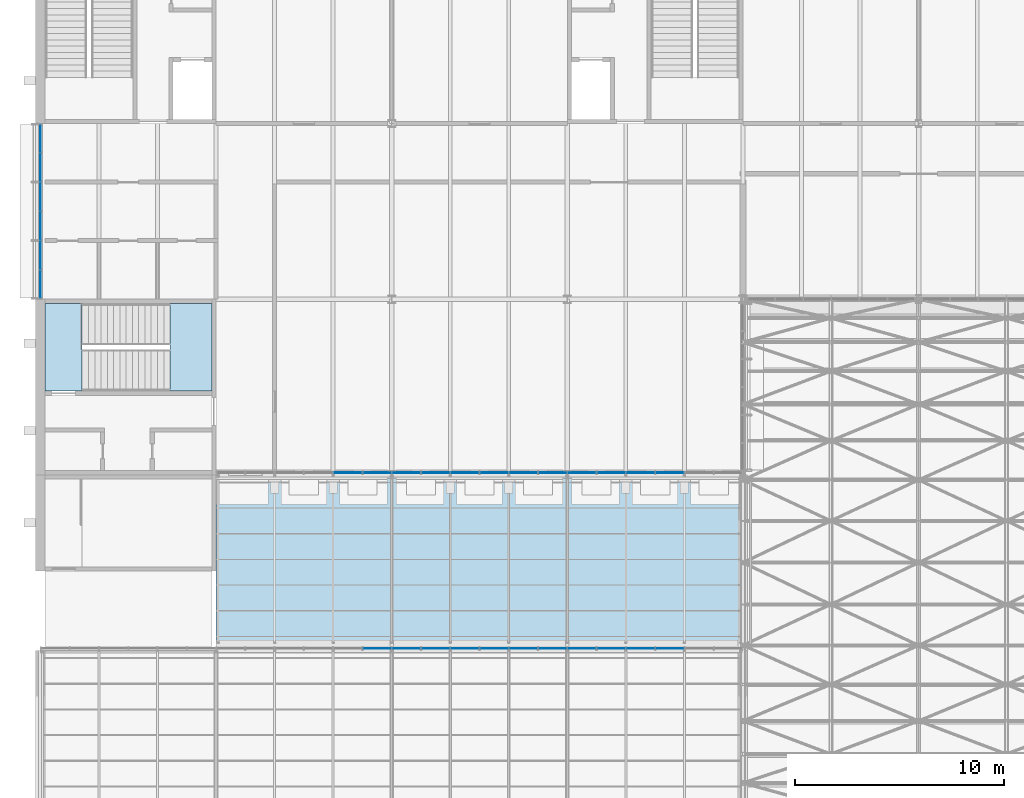
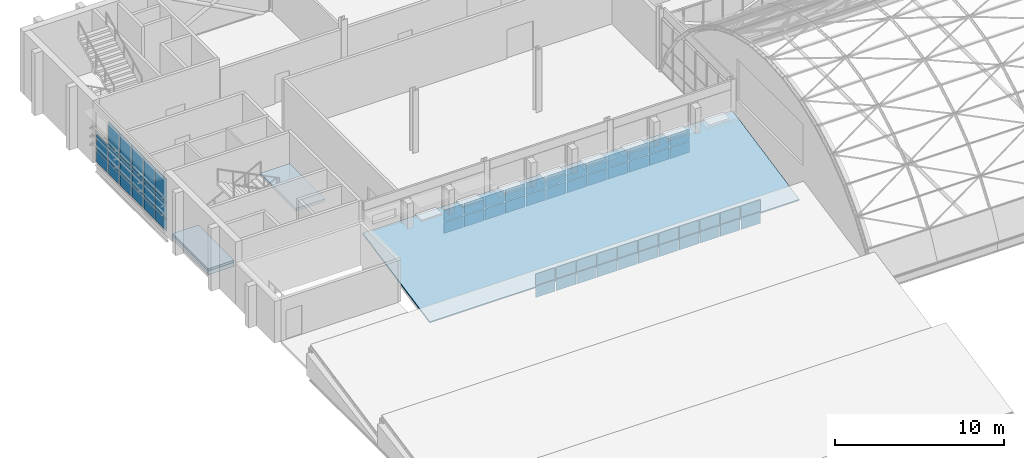
# One storey, part 71 of 121: 63 plates, 4 slabs, 4 elements without a shape of their own.
"""IFC4 building model written with IfcOpenShell, lengths in metres."""

from ifc_helpers import new_model, si_unit, direction, frame, origin, origin_2d, place, context, subcontext, project, spatial, polyline, rectangle, outline, extrude, material, layer, layer_set, type_object, element, aggregate, save


model = new_model("IFC4")

# Units and contexts
model_context = context("Model", 3, precision=1e-05, world=origin(), true_north=direction((0.0, 1.0)))
body_context = subcontext(model_context, "Body", "Model", "MODEL_VIEW")
ifc_project = project(units=[si_unit("LENGTHUNIT", "METRE"), si_unit("AREAUNIT", "SQUARE_METRE"), si_unit("VOLUMEUNIT", "CUBIC_METRE"), si_unit("PLANEANGLEUNIT", "RADIAN"), si_unit("MASSUNIT", "GRAM", prefix="KILO")], contexts=[model_context])

# Site, building, storey
site_placement = place(None, origin())
site = spatial("IfcSite", under=ifc_project, at=site_placement, CompositionType="ELEMENT")
building_placement = place(site_placement, origin())
building = spatial("IfcBuilding", under=site, at=building_placement, Name="Ardhachandra Cancer Care Centre", CompositionType="ELEMENT")
storey_placement = place(building_placement, frame((0.0, 0.0, 9.0)))
storey = spatial("IfcBuildingStorey", under=building, at=storey_placement, Name="L02", CompositionType="ELEMENT", Elevation=9.0)

# Slabs
ifc_material_1 = material(Name="Concrete M40", Category="concrete")
ifc_layer_1 = layer(ifc_material_1, 0.14990234375)
ifc_layer_set_1 = layer_set([ifc_layer_1], Name="Concrete M40")
slab_type_1 = type_object("IfcSlabType", Name="Core floor slab 150", PredefinedType="FLOOR", material=ifc_layer_set_1)
slab_1_placement = place(storey_placement, frame((0.0, 0.0, -0.14990234375)))
element("IfcSlab", 1, at=slab_1_placement, inside=storey, type_object=slab_type_1, Name="Core floor slab K6 L02 1", PredefinedType="FLOOR", context=body_context, shape_type="SweptSolid", body=[
    extrude(outline(polyline([(11.02490234375, 79.60009765625), (11.02490234375, 75.39990234375), (12.800048828125, 75.39990234375), (12.800048828125, 79.60009765625), (11.02490234375, 79.60009765625)])), origin(), (0.0, 0.0, 1.0), 0.14990234375),
])
ifc_material_2 = material(Name="Concrete M40", Category="concrete")
ifc_layer_2 = layer(ifc_material_2, 0.300048828125)
ifc_layer_set_2 = layer_set([ifc_layer_2], Name="Concrete M40")
slab_type_2 = type_object("IfcSlabType", Name="Core stair edge slab 300", PredefinedType="FLOOR", material=ifc_layer_set_2)
slab_2_placement = place(storey_placement, frame((0.0, 0.0, -0.449951171875)))
element("IfcSlab", 2, at=slab_2_placement, inside=storey, type_object=slab_type_2, Name="Core stair edge slab K6 L02", PredefinedType="FLOOR", context=body_context, shape_type="SweptSolid", body=[
    extrude(outline(polyline([(12.800048828125, 79.60009765625), (12.800048828125, 75.39990234375), (11.02490234375, 75.39990234375), (11.02490234375, 79.60009765625), (12.800048828125, 79.60009765625)])), origin(), (0.0, 0.0, 1.0), 0.300048828125),
])

# Curtain wall, plates
ifc_material_3 = material(Name="Aluminium extrusion", Category="aluminium")
ifc_layer_3 = layer(ifc_material_3, 0.14990234375)
ifc_layer_set_3 = layer_set([ifc_layer_3], Name="Aluminium extrusion")
curtain_wall_type = type_object("IfcCurtainWallType", Name="Curtain wall run", PredefinedType="NOTDEFINED", material=ifc_layer_set_3)
curtain_wall_1_placement = place(storey_placement, origin())
curtain_wall_1 = element("IfcCurtainWall", 3, at=curtain_wall_1_placement, inside=storey, type_object=curtain_wall_type, Name="Curtain wall L02 w/0010800_0079800", PredefinedType="NOTDEFINED")
ifc_material_4 = material(Name="Low-iron double-glazed unit")
ifc_layer_4 = layer(ifc_material_4, 0.028076171875)
ifc_layer_set_4 = layer_set([ifc_layer_4], Name="Low-iron double-glazed unit")
plate_type_1 = type_object("IfcPlateType", Name="Curtain wall glazing 28", PredefinedType="CURTAIN_PANEL", material=ifc_layer_set_4)
plate_1_placement = place(storey_placement, frame((10.800048828125, 86.10009765625, 0.93017578125), z_axis=(0.0, 0.0, 1.0), x_axis=(0.0, 1.0, 0.0)))
plate_1 = element("IfcPlate", 4, at=plate_1_placement, type_object=plate_type_1, Name="CW panel 5.2", PredefinedType="CURTAIN_PANEL", context=body_context, shape_type="SweptSolid", body=[
    extrude(rectangle(XDim=1.340087890625, YDim=0.028076171875, at=origin_2d()), origin(), (0.0, 0.0, 1.0), 1.139892578125),
])
plate_2_placement = place(storey_placement, frame((10.800048828125, 86.10009765625, 2.1298828125), z_axis=(0.0, 0.0, 1.0), x_axis=(0.0, 1.0, 0.0)))
plate_2 = element("IfcPlate", 5, at=plate_2_placement, type_object=plate_type_1, Name="CW panel 5.3", PredefinedType="CURTAIN_PANEL", context=body_context, shape_type="SweptSolid", body=[
    extrude(rectangle(XDim=1.340087890625, YDim=0.028076171875, at=origin_2d()), origin(), (0.0, 0.0, 1.0), 1.659912109375),
])
plate_3_placement = place(storey_placement, frame((10.800048828125, 87.485107421875, 0.93017578125), z_axis=(0.0, 0.0, 1.0), x_axis=(0.0, 1.0, 0.0)))
plate_3 = element("IfcPlate", 6, at=plate_3_placement, type_object=plate_type_1, Name="CW panel 6.2", PredefinedType="CURTAIN_PANEL", context=body_context, shape_type="SweptSolid", body=[
    extrude(rectangle(XDim=1.31005859375, YDim=0.028076171875, at=origin_2d()), origin(), (0.0, 0.0, 1.0), 1.139892578125),
])

curtain_wall_2_placement = place(storey_placement, origin())
curtain_wall_2 = element("IfcCurtainWall", 7, at=curtain_wall_2_placement, inside=storey, type_object=curtain_wall_type, Name="Curtain wall L02 n/0010800_0063100", PredefinedType="NOTDEFINED")
plate_4_placement = place(storey_placement, frame((26.89990234375, 63.10009765625, 0.93994140625), z_axis=(0.0, 0.0, 1.0), x_axis=(1.0, 0.0, 0.0)))
plate_4 = element("IfcPlate", 8, at=plate_4_placement, type_object=plate_type_1, Name="CW panel 12.2", PredefinedType="CURTAIN_PANEL", context=body_context, shape_type="SweptSolid", body=[
    extrude(rectangle(XDim=1.340087890625, YDim=0.028076171875, at=origin_2d()), origin(), (0.0, 0.0, 1.0), 0.820068359375),
])
plate_5_placement = place(storey_placement, frame((28.300048828125, 63.10009765625, 0.93994140625), z_axis=(0.0, 0.0, 1.0), x_axis=(1.0, 0.0, 0.0)))
plate_5 = element("IfcPlate", 9, at=plate_5_placement, type_object=plate_type_1, Name="CW panel 13.2", PredefinedType="CURTAIN_PANEL", context=body_context, shape_type="SweptSolid", body=[
    extrude(rectangle(XDim=1.340087890625, YDim=0.028076171875, at=origin_2d()), origin(), (0.0, 0.0, 1.0), 0.820068359375),
])
plate_6_placement = place(storey_placement, frame((29.699951171875, 63.10009765625, 0.93994140625), z_axis=(0.0, 0.0, 1.0), x_axis=(1.0, 0.0, 0.0)))
plate_6 = element("IfcPlate", 10, at=plate_6_placement, type_object=plate_type_1, Name="CW panel 14.2", PredefinedType="CURTAIN_PANEL", context=body_context, shape_type="SweptSolid", body=[
    extrude(rectangle(XDim=1.340087890625, YDim=0.028076171875, at=origin_2d()), origin(), (0.0, 0.0, 1.0), 0.820068359375),
])
plate_7_placement = place(storey_placement, frame((31.10009765625, 63.10009765625, 0.93994140625), z_axis=(0.0, 0.0, 1.0), x_axis=(1.0, 0.0, 0.0)))
plate_7 = element("IfcPlate", 11, at=plate_7_placement, type_object=plate_type_1, Name="CW panel 15.2", PredefinedType="CURTAIN_PANEL", context=body_context, shape_type="SweptSolid", body=[
    extrude(rectangle(XDim=1.340087890625, YDim=0.028076171875, at=origin_2d()), origin(), (0.0, 0.0, 1.0), 0.820068359375),
])
plate_8_placement = place(storey_placement, frame((32.5, 63.10009765625, 0.93994140625), z_axis=(0.0, 0.0, 1.0), x_axis=(1.0, 0.0, 0.0)))
plate_8 = element("IfcPlate", 12, at=plate_8_placement, type_object=plate_type_1, Name="CW panel 16.2", PredefinedType="CURTAIN_PANEL", context=body_context, shape_type="SweptSolid", body=[
    extrude(rectangle(XDim=1.340087890625, YDim=0.028076171875, at=origin_2d()), origin(), (0.0, 0.0, 1.0), 0.820068359375),
])
plate_9_placement = place(storey_placement, frame((33.89990234375, 63.10009765625, 0.93994140625), z_axis=(0.0, 0.0, 1.0), x_axis=(1.0, 0.0, 0.0)))
plate_9 = element("IfcPlate", 13, at=plate_9_placement, type_object=plate_type_1, Name="CW panel 17.2", PredefinedType="CURTAIN_PANEL", context=body_context, shape_type="SweptSolid", body=[
    extrude(rectangle(XDim=1.340087890625, YDim=0.028076171875, at=origin_2d()), origin(), (0.0, 0.0, 1.0), 0.820068359375),
])
plate_10_placement = place(storey_placement, frame((35.300048828125, 63.10009765625, 0.93994140625), z_axis=(0.0, 0.0, 1.0), x_axis=(1.0, 0.0, 0.0)))
plate_10 = element("IfcPlate", 14, at=plate_10_placement, type_object=plate_type_1, Name="CW panel 18.2", PredefinedType="CURTAIN_PANEL", context=body_context, shape_type="SweptSolid", body=[
    extrude(rectangle(XDim=1.340087890625, YDim=0.028076171875, at=origin_2d()), origin(), (0.0, 0.0, 1.0), 0.820068359375),
])
plate_11_placement = place(storey_placement, frame((36.699951171875, 63.10009765625, 0.93994140625), z_axis=(0.0, 0.0, 1.0), x_axis=(1.0, 0.0, 0.0)))
plate_11 = element("IfcPlate", 15, at=plate_11_placement, type_object=plate_type_1, Name="CW panel 19.2", PredefinedType="CURTAIN_PANEL", context=body_context, shape_type="SweptSolid", body=[
    extrude(rectangle(XDim=1.340087890625, YDim=0.028076171875, at=origin_2d()), origin(), (0.0, 0.0, 1.0), 0.820068359375),
])
plate_12_placement = place(storey_placement, frame((38.10009765625, 63.10009765625, 0.93994140625), z_axis=(0.0, 0.0, 1.0), x_axis=(1.0, 0.0, 0.0)))
plate_12 = element("IfcPlate", 16, at=plate_12_placement, type_object=plate_type_1, Name="CW panel 20.2", PredefinedType="CURTAIN_PANEL", context=body_context, shape_type="SweptSolid", body=[
    extrude(rectangle(XDim=1.340087890625, YDim=0.028076171875, at=origin_2d()), origin(), (0.0, 0.0, 1.0), 0.820068359375),
])
plate_13_placement = place(storey_placement, frame((39.5, 63.10009765625, 0.93994140625), z_axis=(0.0, 0.0, 1.0), x_axis=(1.0, 0.0, 0.0)))
plate_13 = element("IfcPlate", 17, at=plate_13_placement, type_object=plate_type_1, Name="CW panel 21.2", PredefinedType="CURTAIN_PANEL", context=body_context, shape_type="SweptSolid", body=[
    extrude(rectangle(XDim=1.340087890625, YDim=0.028076171875, at=origin_2d()), origin(), (0.0, 0.0, 1.0), 0.820068359375),
])
plate_14_placement = place(storey_placement, frame((40.89990234375, 63.10009765625, 0.93994140625), z_axis=(0.0, 0.0, 1.0), x_axis=(1.0, 0.0, 0.0)))
plate_14 = element("IfcPlate", 18, at=plate_14_placement, type_object=plate_type_1, Name="CW panel 22.2", PredefinedType="CURTAIN_PANEL", context=body_context, shape_type="SweptSolid", body=[
    extrude(rectangle(XDim=1.340087890625, YDim=0.028076171875, at=origin_2d()), origin(), (0.0, 0.0, 1.0), 0.820068359375),
])

curtain_wall_3_placement = place(storey_placement, origin())
curtain_wall_3 = element("IfcCurtainWall", 19, at=curtain_wall_3_placement, inside=storey, type_object=curtain_wall_type, Name="Curtain wall L02 n/0019200_0071500", PredefinedType="NOTDEFINED")
plate_15_placement = place(storey_placement, frame((25.5, 71.5, 0.93994140625), z_axis=(0.0, 0.0, 1.0), x_axis=(1.0, 0.0, 0.0)))
plate_15 = element("IfcPlate", 20, at=plate_15_placement, type_object=plate_type_1, Name="CW panel 5.2", PredefinedType="CURTAIN_PANEL", context=body_context, shape_type="SweptSolid", body=[
    extrude(rectangle(XDim=1.340087890625, YDim=0.028076171875, at=origin_2d()), origin(), (0.0, 0.0, 1.0), 0.820068359375),
])
plate_16_placement = place(storey_placement, frame((26.89990234375, 71.5, 0.93994140625), z_axis=(0.0, 0.0, 1.0), x_axis=(1.0, 0.0, 0.0)))
plate_16 = element("IfcPlate", 21, at=plate_16_placement, type_object=plate_type_1, Name="CW panel 6.2", PredefinedType="CURTAIN_PANEL", context=body_context, shape_type="SweptSolid", body=[
    extrude(rectangle(XDim=1.340087890625, YDim=0.028076171875, at=origin_2d()), origin(), (0.0, 0.0, 1.0), 0.820068359375),
])
plate_17_placement = place(storey_placement, frame((28.300048828125, 71.5, 0.93994140625), z_axis=(0.0, 0.0, 1.0), x_axis=(1.0, 0.0, 0.0)))
plate_17 = element("IfcPlate", 22, at=plate_17_placement, type_object=plate_type_1, Name="CW panel 7.2", PredefinedType="CURTAIN_PANEL", context=body_context, shape_type="SweptSolid", body=[
    extrude(rectangle(XDim=1.340087890625, YDim=0.028076171875, at=origin_2d()), origin(), (0.0, 0.0, 1.0), 0.820068359375),
])
plate_18_placement = place(storey_placement, frame((29.699951171875, 71.5, 0.93994140625), z_axis=(0.0, 0.0, 1.0), x_axis=(1.0, 0.0, 0.0)))
plate_18 = element("IfcPlate", 23, at=plate_18_placement, type_object=plate_type_1, Name="CW panel 8.2", PredefinedType="CURTAIN_PANEL", context=body_context, shape_type="SweptSolid", body=[
    extrude(rectangle(XDim=1.340087890625, YDim=0.028076171875, at=origin_2d()), origin(), (0.0, 0.0, 1.0), 0.820068359375),
])
plate_19_placement = place(storey_placement, frame((31.10009765625, 71.5, 0.93994140625), z_axis=(0.0, 0.0, 1.0), x_axis=(1.0, 0.0, 0.0)))
plate_19 = element("IfcPlate", 24, at=plate_19_placement, type_object=plate_type_1, Name="CW panel 9.2", PredefinedType="CURTAIN_PANEL", context=body_context, shape_type="SweptSolid", body=[
    extrude(rectangle(XDim=1.340087890625, YDim=0.028076171875, at=origin_2d()), origin(), (0.0, 0.0, 1.0), 0.820068359375),
])
plate_20_placement = place(storey_placement, frame((32.5, 71.5, 0.93994140625), z_axis=(0.0, 0.0, 1.0), x_axis=(1.0, 0.0, 0.0)))
plate_20 = element("IfcPlate", 25, at=plate_20_placement, type_object=plate_type_1, Name="CW panel 10.2", PredefinedType="CURTAIN_PANEL", context=body_context, shape_type="SweptSolid", body=[
    extrude(rectangle(XDim=1.340087890625, YDim=0.028076171875, at=origin_2d()), origin(), (0.0, 0.0, 1.0), 0.820068359375),
])
plate_21_placement = place(storey_placement, frame((33.89990234375, 71.5, 0.93994140625), z_axis=(0.0, 0.0, 1.0), x_axis=(1.0, 0.0, 0.0)))
plate_21 = element("IfcPlate", 26, at=plate_21_placement, type_object=plate_type_1, Name="CW panel 11.2", PredefinedType="CURTAIN_PANEL", context=body_context, shape_type="SweptSolid", body=[
    extrude(rectangle(XDim=1.340087890625, YDim=0.028076171875, at=origin_2d()), origin(), (0.0, 0.0, 1.0), 0.820068359375),
])
plate_22_placement = place(storey_placement, frame((35.300048828125, 71.5, 0.93994140625), z_axis=(0.0, 0.0, 1.0), x_axis=(1.0, 0.0, 0.0)))
plate_22 = element("IfcPlate", 27, at=plate_22_placement, type_object=plate_type_1, Name="CW panel 12.2", PredefinedType="CURTAIN_PANEL", context=body_context, shape_type="SweptSolid", body=[
    extrude(rectangle(XDim=1.340087890625, YDim=0.028076171875, at=origin_2d()), origin(), (0.0, 0.0, 1.0), 0.820068359375),
])
plate_23_placement = place(storey_placement, frame((36.699951171875, 71.5, 0.93994140625), z_axis=(0.0, 0.0, 1.0), x_axis=(1.0, 0.0, 0.0)))
plate_23 = element("IfcPlate", 28, at=plate_23_placement, type_object=plate_type_1, Name="CW panel 13.2", PredefinedType="CURTAIN_PANEL", context=body_context, shape_type="SweptSolid", body=[
    extrude(rectangle(XDim=1.340087890625, YDim=0.028076171875, at=origin_2d()), origin(), (0.0, 0.0, 1.0), 0.820068359375),
])
plate_24_placement = place(storey_placement, frame((38.10009765625, 71.5, 0.93994140625), z_axis=(0.0, 0.0, 1.0), x_axis=(1.0, 0.0, 0.0)))
plate_24 = element("IfcPlate", 29, at=plate_24_placement, type_object=plate_type_1, Name="CW panel 14.2", PredefinedType="CURTAIN_PANEL", context=body_context, shape_type="SweptSolid", body=[
    extrude(rectangle(XDim=1.340087890625, YDim=0.028076171875, at=origin_2d()), origin(), (0.0, 0.0, 1.0), 0.820068359375),
])
plate_25_placement = place(storey_placement, frame((39.5, 71.5, 0.93994140625), z_axis=(0.0, 0.0, 1.0), x_axis=(1.0, 0.0, 0.0)))
plate_25 = element("IfcPlate", 30, at=plate_25_placement, type_object=plate_type_1, Name="CW panel 15.2", PredefinedType="CURTAIN_PANEL", context=body_context, shape_type="SweptSolid", body=[
    extrude(rectangle(XDim=1.340087890625, YDim=0.028076171875, at=origin_2d()), origin(), (0.0, 0.0, 1.0), 0.820068359375),
])
plate_26_placement = place(storey_placement, frame((40.89990234375, 71.5, 0.93994140625), z_axis=(0.0, 0.0, 1.0), x_axis=(1.0, 0.0, 0.0)))
plate_26 = element("IfcPlate", 31, at=plate_26_placement, type_object=plate_type_1, Name="CW panel 16.2", PredefinedType="CURTAIN_PANEL", context=body_context, shape_type="SweptSolid", body=[
    extrude(rectangle(XDim=1.340087890625, YDim=0.028076171875, at=origin_2d()), origin(), (0.0, 0.0, 1.0), 0.820068359375),
])

# Plate
ifc_material_5 = material(Name="Aluminium composite spandrel panel", Category="aluminium")
ifc_layer_5 = layer(ifc_material_5, 0.028076171875)
ifc_layer_set_5 = layer_set([ifc_layer_5], Name="Aluminium composite spandrel panel")
plate_type_2 = type_object("IfcPlateType", Name="Curtain wall spandrel panel 28", PredefinedType="CURTAIN_PANEL", material=ifc_layer_set_5)
plate_27_placement = place(storey_placement, frame((10.800048828125, 80.514892578125, 0.06005859375), z_axis=(0.0, 0.0, 1.0), x_axis=(0.0, 1.0, 0.0)))
plate_27 = element("IfcPlate", 32, at=plate_27_placement, type_object=plate_type_2, Name="CW panel 1.1", PredefinedType="CURTAIN_PANEL", context=body_context, shape_type="SweptSolid", body=[
    extrude(rectangle(XDim=1.31005859375, YDim=0.028076171875, at=origin_2d()), origin(), (0.0, 0.0, 1.0), 0.81005859375),
])

plate_28_placement = place(storey_placement, frame((10.800048828125, 80.514892578125, 0.93017578125), z_axis=(0.0, 0.0, 1.0), x_axis=(0.0, 1.0, 0.0)))
plate_28 = element("IfcPlate", 33, at=plate_28_placement, type_object=plate_type_2, Name="CW panel 1.2", PredefinedType="CURTAIN_PANEL", context=body_context, shape_type="SweptSolid", body=[
    extrude(rectangle(XDim=1.31005859375, YDim=0.028076171875, at=origin_2d()), origin(), (0.0, 0.0, 1.0), 1.139892578125),
])

plate_29_placement = place(storey_placement, frame((10.800048828125, 80.514892578125, 2.1298828125), z_axis=(0.0, 0.0, 1.0), x_axis=(0.0, 1.0, 0.0)))
plate_29 = element("IfcPlate", 34, at=plate_29_placement, type_object=plate_type_2, Name="CW panel 1.3", PredefinedType="CURTAIN_PANEL", context=body_context, shape_type="SweptSolid", body=[
    extrude(rectangle(XDim=1.31005859375, YDim=0.028076171875, at=origin_2d()), origin(), (0.0, 0.0, 1.0), 1.659912109375),
])

plate_30_placement = place(storey_placement, frame((10.800048828125, 81.89990234375, 0.06005859375), z_axis=(0.0, 0.0, 1.0), x_axis=(0.0, 1.0, 0.0)))
plate_30 = element("IfcPlate", 35, at=plate_30_placement, type_object=plate_type_2, Name="CW panel 2.1", PredefinedType="CURTAIN_PANEL", context=body_context, shape_type="SweptSolid", body=[
    extrude(rectangle(XDim=1.340087890625, YDim=0.028076171875, at=origin_2d()), origin(), (0.0, 0.0, 1.0), 0.81005859375),
])

plate_31_placement = place(storey_placement, frame((10.800048828125, 81.89990234375, 0.93017578125), z_axis=(0.0, 0.0, 1.0), x_axis=(0.0, 1.0, 0.0)))
plate_31 = element("IfcPlate", 36, at=plate_31_placement, type_object=plate_type_2, Name="CW panel 2.2", PredefinedType="CURTAIN_PANEL", context=body_context, shape_type="SweptSolid", body=[
    extrude(rectangle(XDim=1.340087890625, YDim=0.028076171875, at=origin_2d()), origin(), (0.0, 0.0, 1.0), 1.139892578125),
])

plate_32_placement = place(storey_placement, frame((10.800048828125, 81.89990234375, 2.1298828125), z_axis=(0.0, 0.0, 1.0), x_axis=(0.0, 1.0, 0.0)))
plate_32 = element("IfcPlate", 37, at=plate_32_placement, type_object=plate_type_2, Name="CW panel 2.3", PredefinedType="CURTAIN_PANEL", context=body_context, shape_type="SweptSolid", body=[
    extrude(rectangle(XDim=1.340087890625, YDim=0.028076171875, at=origin_2d()), origin(), (0.0, 0.0, 1.0), 1.659912109375),
])

plate_33_placement = place(storey_placement, frame((10.800048828125, 83.300048828125, 0.06005859375), z_axis=(0.0, 0.0, 1.0), x_axis=(0.0, 1.0, 0.0)))
plate_33 = element("IfcPlate", 38, at=plate_33_placement, type_object=plate_type_2, Name="CW panel 3.1", PredefinedType="CURTAIN_PANEL", context=body_context, shape_type="SweptSolid", body=[
    extrude(rectangle(XDim=1.340087890625, YDim=0.028076171875, at=origin_2d()), origin(), (0.0, 0.0, 1.0), 0.81005859375),
])

plate_34_placement = place(storey_placement, frame((10.800048828125, 83.300048828125, 0.93017578125), z_axis=(0.0, 0.0, 1.0), x_axis=(0.0, 1.0, 0.0)))
plate_34 = element("IfcPlate", 39, at=plate_34_placement, type_object=plate_type_2, Name="CW panel 3.2", PredefinedType="CURTAIN_PANEL", context=body_context, shape_type="SweptSolid", body=[
    extrude(rectangle(XDim=1.340087890625, YDim=0.028076171875, at=origin_2d()), origin(), (0.0, 0.0, 1.0), 1.139892578125),
])

plate_35_placement = place(storey_placement, frame((10.800048828125, 83.300048828125, 2.1298828125), z_axis=(0.0, 0.0, 1.0), x_axis=(0.0, 1.0, 0.0)))
plate_35 = element("IfcPlate", 40, at=plate_35_placement, type_object=plate_type_2, Name="CW panel 3.3", PredefinedType="CURTAIN_PANEL", context=body_context, shape_type="SweptSolid", body=[
    extrude(rectangle(XDim=1.340087890625, YDim=0.028076171875, at=origin_2d()), origin(), (0.0, 0.0, 1.0), 1.659912109375),
])

plate_36_placement = place(storey_placement, frame((10.800048828125, 84.699951171875, 0.06005859375), z_axis=(0.0, 0.0, 1.0), x_axis=(0.0, 1.0, 0.0)))
plate_36 = element("IfcPlate", 41, at=plate_36_placement, type_object=plate_type_2, Name="CW panel 4.1", PredefinedType="CURTAIN_PANEL", context=body_context, shape_type="SweptSolid", body=[
    extrude(rectangle(XDim=1.340087890625, YDim=0.028076171875, at=origin_2d()), origin(), (0.0, 0.0, 1.0), 0.81005859375),
])

plate_37_placement = place(storey_placement, frame((10.800048828125, 84.699951171875, 0.93017578125), z_axis=(0.0, 0.0, 1.0), x_axis=(0.0, 1.0, 0.0)))
plate_37 = element("IfcPlate", 42, at=plate_37_placement, type_object=plate_type_2, Name="CW panel 4.2", PredefinedType="CURTAIN_PANEL", context=body_context, shape_type="SweptSolid", body=[
    extrude(rectangle(XDim=1.340087890625, YDim=0.028076171875, at=origin_2d()), origin(), (0.0, 0.0, 1.0), 1.139892578125),
])

plate_38_placement = place(storey_placement, frame((10.800048828125, 84.699951171875, 2.1298828125), z_axis=(0.0, 0.0, 1.0), x_axis=(0.0, 1.0, 0.0)))
plate_38 = element("IfcPlate", 43, at=plate_38_placement, type_object=plate_type_2, Name="CW panel 4.3", PredefinedType="CURTAIN_PANEL", context=body_context, shape_type="SweptSolid", body=[
    extrude(rectangle(XDim=1.340087890625, YDim=0.028076171875, at=origin_2d()), origin(), (0.0, 0.0, 1.0), 1.659912109375),
])

plate_39_placement = place(storey_placement, frame((10.800048828125, 86.10009765625, 0.06005859375), z_axis=(0.0, 0.0, 1.0), x_axis=(0.0, 1.0, 0.0)))
plate_39 = element("IfcPlate", 44, at=plate_39_placement, type_object=plate_type_2, Name="CW panel 5.1", PredefinedType="CURTAIN_PANEL", context=body_context, shape_type="SweptSolid", body=[
    extrude(rectangle(XDim=1.340087890625, YDim=0.028076171875, at=origin_2d()), origin(), (0.0, 0.0, 1.0), 0.81005859375),
])

plate_40_placement = place(storey_placement, frame((10.800048828125, 87.485107421875, 0.06005859375), z_axis=(0.0, 0.0, 1.0), x_axis=(0.0, 1.0, 0.0)))
plate_40 = element("IfcPlate", 45, at=plate_40_placement, type_object=plate_type_2, Name="CW panel 6.1", PredefinedType="CURTAIN_PANEL", context=body_context, shape_type="SweptSolid", body=[
    extrude(rectangle(XDim=1.31005859375, YDim=0.028076171875, at=origin_2d()), origin(), (0.0, 0.0, 1.0), 0.81005859375),
])

aggregate(curtain_wall_1, [plate_27, plate_28, plate_29, plate_30, plate_31, plate_32, plate_33, plate_34, plate_35, plate_36, plate_37, plate_38, plate_39, plate_1, plate_2, plate_40, plate_3])

plate_41_placement = place(storey_placement, frame((26.89990234375, 63.10009765625, 0.06005859375), z_axis=(0.0, 0.0, 1.0), x_axis=(1.0, 0.0, 0.0)))
plate_41 = element("IfcPlate", 46, at=plate_41_placement, type_object=plate_type_2, Name="CW panel 12.1", PredefinedType="CURTAIN_PANEL", context=body_context, shape_type="SweptSolid", body=[
    extrude(rectangle(XDim=1.340087890625, YDim=0.028076171875, at=origin_2d()), origin(), (0.0, 0.0, 1.0), 0.820068359375),
])

plate_42_placement = place(storey_placement, frame((28.300048828125, 63.10009765625, 0.06005859375), z_axis=(0.0, 0.0, 1.0), x_axis=(1.0, 0.0, 0.0)))
plate_42 = element("IfcPlate", 47, at=plate_42_placement, type_object=plate_type_2, Name="CW panel 13.1", PredefinedType="CURTAIN_PANEL", context=body_context, shape_type="SweptSolid", body=[
    extrude(rectangle(XDim=1.340087890625, YDim=0.028076171875, at=origin_2d()), origin(), (0.0, 0.0, 1.0), 0.820068359375),
])

plate_43_placement = place(storey_placement, frame((29.699951171875, 63.10009765625, 0.06005859375), z_axis=(0.0, 0.0, 1.0), x_axis=(1.0, 0.0, 0.0)))
plate_43 = element("IfcPlate", 48, at=plate_43_placement, type_object=plate_type_2, Name="CW panel 14.1", PredefinedType="CURTAIN_PANEL", context=body_context, shape_type="SweptSolid", body=[
    extrude(rectangle(XDim=1.340087890625, YDim=0.028076171875, at=origin_2d()), origin(), (0.0, 0.0, 1.0), 0.820068359375),
])

plate_44_placement = place(storey_placement, frame((31.10009765625, 63.10009765625, 0.06005859375), z_axis=(0.0, 0.0, 1.0), x_axis=(1.0, 0.0, 0.0)))
plate_44 = element("IfcPlate", 49, at=plate_44_placement, type_object=plate_type_2, Name="CW panel 15.1", PredefinedType="CURTAIN_PANEL", context=body_context, shape_type="SweptSolid", body=[
    extrude(rectangle(XDim=1.340087890625, YDim=0.028076171875, at=origin_2d()), origin(), (0.0, 0.0, 1.0), 0.820068359375),
])

plate_45_placement = place(storey_placement, frame((32.5, 63.10009765625, 0.06005859375), z_axis=(0.0, 0.0, 1.0), x_axis=(1.0, 0.0, 0.0)))
plate_45 = element("IfcPlate", 50, at=plate_45_placement, type_object=plate_type_2, Name="CW panel 16.1", PredefinedType="CURTAIN_PANEL", context=body_context, shape_type="SweptSolid", body=[
    extrude(rectangle(XDim=1.340087890625, YDim=0.028076171875, at=origin_2d()), origin(), (0.0, 0.0, 1.0), 0.820068359375),
])

plate_46_placement = place(storey_placement, frame((33.89990234375, 63.10009765625, 0.06005859375), z_axis=(0.0, 0.0, 1.0), x_axis=(1.0, 0.0, 0.0)))
plate_46 = element("IfcPlate", 51, at=plate_46_placement, type_object=plate_type_2, Name="CW panel 17.1", PredefinedType="CURTAIN_PANEL", context=body_context, shape_type="SweptSolid", body=[
    extrude(rectangle(XDim=1.340087890625, YDim=0.028076171875, at=origin_2d()), origin(), (0.0, 0.0, 1.0), 0.820068359375),
])

plate_47_placement = place(storey_placement, frame((35.300048828125, 63.10009765625, 0.06005859375), z_axis=(0.0, 0.0, 1.0), x_axis=(1.0, 0.0, 0.0)))
plate_47 = element("IfcPlate", 52, at=plate_47_placement, type_object=plate_type_2, Name="CW panel 18.1", PredefinedType="CURTAIN_PANEL", context=body_context, shape_type="SweptSolid", body=[
    extrude(rectangle(XDim=1.340087890625, YDim=0.028076171875, at=origin_2d()), origin(), (0.0, 0.0, 1.0), 0.820068359375),
])

plate_48_placement = place(storey_placement, frame((36.699951171875, 63.10009765625, 0.06005859375), z_axis=(0.0, 0.0, 1.0), x_axis=(1.0, 0.0, 0.0)))
plate_48 = element("IfcPlate", 53, at=plate_48_placement, type_object=plate_type_2, Name="CW panel 19.1", PredefinedType="CURTAIN_PANEL", context=body_context, shape_type="SweptSolid", body=[
    extrude(rectangle(XDim=1.340087890625, YDim=0.028076171875, at=origin_2d()), origin(), (0.0, 0.0, 1.0), 0.820068359375),
])

plate_49_placement = place(storey_placement, frame((38.10009765625, 63.10009765625, 0.06005859375), z_axis=(0.0, 0.0, 1.0), x_axis=(1.0, 0.0, 0.0)))
plate_49 = element("IfcPlate", 54, at=plate_49_placement, type_object=plate_type_2, Name="CW panel 20.1", PredefinedType="CURTAIN_PANEL", context=body_context, shape_type="SweptSolid", body=[
    extrude(rectangle(XDim=1.340087890625, YDim=0.028076171875, at=origin_2d()), origin(), (0.0, 0.0, 1.0), 0.820068359375),
])

plate_50_placement = place(storey_placement, frame((39.5, 63.10009765625, 0.06005859375), z_axis=(0.0, 0.0, 1.0), x_axis=(1.0, 0.0, 0.0)))
plate_50 = element("IfcPlate", 55, at=plate_50_placement, type_object=plate_type_2, Name="CW panel 21.1", PredefinedType="CURTAIN_PANEL", context=body_context, shape_type="SweptSolid", body=[
    extrude(rectangle(XDim=1.340087890625, YDim=0.028076171875, at=origin_2d()), origin(), (0.0, 0.0, 1.0), 0.820068359375),
])

plate_51_placement = place(storey_placement, frame((40.89990234375, 63.10009765625, 0.06005859375), z_axis=(0.0, 0.0, 1.0), x_axis=(1.0, 0.0, 0.0)))
plate_51 = element("IfcPlate", 56, at=plate_51_placement, type_object=plate_type_2, Name="CW panel 22.1", PredefinedType="CURTAIN_PANEL", context=body_context, shape_type="SweptSolid", body=[
    extrude(rectangle(XDim=1.340087890625, YDim=0.028076171875, at=origin_2d()), origin(), (0.0, 0.0, 1.0), 0.820068359375),
])

aggregate(curtain_wall_2, [plate_41, plate_4, plate_42, plate_5, plate_43, plate_6, plate_44, plate_7, plate_45, plate_8, plate_46, plate_9, plate_47, plate_10, plate_48, plate_11, plate_49, plate_12, plate_50, plate_13, plate_51, plate_14])

plate_52_placement = place(storey_placement, frame((25.5, 71.5, 0.06005859375), z_axis=(0.0, 0.0, 1.0), x_axis=(1.0, 0.0, 0.0)))
plate_52 = element("IfcPlate", 57, at=plate_52_placement, type_object=plate_type_2, Name="CW panel 5.1", PredefinedType="CURTAIN_PANEL", context=body_context, shape_type="SweptSolid", body=[
    extrude(rectangle(XDim=1.340087890625, YDim=0.028076171875, at=origin_2d()), origin(), (0.0, 0.0, 1.0), 0.820068359375),
])

plate_53_placement = place(storey_placement, frame((26.89990234375, 71.5, 0.06005859375), z_axis=(0.0, 0.0, 1.0), x_axis=(1.0, 0.0, 0.0)))
plate_53 = element("IfcPlate", 58, at=plate_53_placement, type_object=plate_type_2, Name="CW panel 6.1", PredefinedType="CURTAIN_PANEL", context=body_context, shape_type="SweptSolid", body=[
    extrude(rectangle(XDim=1.340087890625, YDim=0.028076171875, at=origin_2d()), origin(), (0.0, 0.0, 1.0), 0.820068359375),
])

plate_54_placement = place(storey_placement, frame((28.300048828125, 71.5, 0.06005859375), z_axis=(0.0, 0.0, 1.0), x_axis=(1.0, 0.0, 0.0)))
plate_54 = element("IfcPlate", 59, at=plate_54_placement, type_object=plate_type_2, Name="CW panel 7.1", PredefinedType="CURTAIN_PANEL", context=body_context, shape_type="SweptSolid", body=[
    extrude(rectangle(XDim=1.340087890625, YDim=0.028076171875, at=origin_2d()), origin(), (0.0, 0.0, 1.0), 0.820068359375),
])

plate_55_placement = place(storey_placement, frame((29.699951171875, 71.5, 0.06005859375), z_axis=(0.0, 0.0, 1.0), x_axis=(1.0, 0.0, 0.0)))
plate_55 = element("IfcPlate", 60, at=plate_55_placement, type_object=plate_type_2, Name="CW panel 8.1", PredefinedType="CURTAIN_PANEL", context=body_context, shape_type="SweptSolid", body=[
    extrude(rectangle(XDim=1.340087890625, YDim=0.028076171875, at=origin_2d()), origin(), (0.0, 0.0, 1.0), 0.820068359375),
])

plate_56_placement = place(storey_placement, frame((31.10009765625, 71.5, 0.06005859375), z_axis=(0.0, 0.0, 1.0), x_axis=(1.0, 0.0, 0.0)))
plate_56 = element("IfcPlate", 61, at=plate_56_placement, type_object=plate_type_2, Name="CW panel 9.1", PredefinedType="CURTAIN_PANEL", context=body_context, shape_type="SweptSolid", body=[
    extrude(rectangle(XDim=1.340087890625, YDim=0.028076171875, at=origin_2d()), origin(), (0.0, 0.0, 1.0), 0.820068359375),
])

plate_57_placement = place(storey_placement, frame((32.5, 71.5, 0.06005859375), z_axis=(0.0, 0.0, 1.0), x_axis=(1.0, 0.0, 0.0)))
plate_57 = element("IfcPlate", 62, at=plate_57_placement, type_object=plate_type_2, Name="CW panel 10.1", PredefinedType="CURTAIN_PANEL", context=body_context, shape_type="SweptSolid", body=[
    extrude(rectangle(XDim=1.340087890625, YDim=0.028076171875, at=origin_2d()), origin(), (0.0, 0.0, 1.0), 0.820068359375),
])

plate_58_placement = place(storey_placement, frame((33.89990234375, 71.5, 0.06005859375), z_axis=(0.0, 0.0, 1.0), x_axis=(1.0, 0.0, 0.0)))
plate_58 = element("IfcPlate", 63, at=plate_58_placement, type_object=plate_type_2, Name="CW panel 11.1", PredefinedType="CURTAIN_PANEL", context=body_context, shape_type="SweptSolid", body=[
    extrude(rectangle(XDim=1.340087890625, YDim=0.028076171875, at=origin_2d()), origin(), (0.0, 0.0, 1.0), 0.820068359375),
])

plate_59_placement = place(storey_placement, frame((35.300048828125, 71.5, 0.06005859375), z_axis=(0.0, 0.0, 1.0), x_axis=(1.0, 0.0, 0.0)))
plate_59 = element("IfcPlate", 64, at=plate_59_placement, type_object=plate_type_2, Name="CW panel 12.1", PredefinedType="CURTAIN_PANEL", context=body_context, shape_type="SweptSolid", body=[
    extrude(rectangle(XDim=1.340087890625, YDim=0.028076171875, at=origin_2d()), origin(), (0.0, 0.0, 1.0), 0.820068359375),
])

plate_60_placement = place(storey_placement, frame((36.699951171875, 71.5, 0.06005859375), z_axis=(0.0, 0.0, 1.0), x_axis=(1.0, 0.0, 0.0)))
plate_60 = element("IfcPlate", 65, at=plate_60_placement, type_object=plate_type_2, Name="CW panel 13.1", PredefinedType="CURTAIN_PANEL", context=body_context, shape_type="SweptSolid", body=[
    extrude(rectangle(XDim=1.340087890625, YDim=0.028076171875, at=origin_2d()), origin(), (0.0, 0.0, 1.0), 0.820068359375),
])

plate_61_placement = place(storey_placement, frame((38.10009765625, 71.5, 0.06005859375), z_axis=(0.0, 0.0, 1.0), x_axis=(1.0, 0.0, 0.0)))
plate_61 = element("IfcPlate", 66, at=plate_61_placement, type_object=plate_type_2, Name="CW panel 14.1", PredefinedType="CURTAIN_PANEL", context=body_context, shape_type="SweptSolid", body=[
    extrude(rectangle(XDim=1.340087890625, YDim=0.028076171875, at=origin_2d()), origin(), (0.0, 0.0, 1.0), 0.820068359375),
])

plate_62_placement = place(storey_placement, frame((39.5, 71.5, 0.06005859375), z_axis=(0.0, 0.0, 1.0), x_axis=(1.0, 0.0, 0.0)))
plate_62 = element("IfcPlate", 67, at=plate_62_placement, type_object=plate_type_2, Name="CW panel 15.1", PredefinedType="CURTAIN_PANEL", context=body_context, shape_type="SweptSolid", body=[
    extrude(rectangle(XDim=1.340087890625, YDim=0.028076171875, at=origin_2d()), origin(), (0.0, 0.0, 1.0), 0.820068359375),
])

plate_63_placement = place(storey_placement, frame((40.89990234375, 71.5, 0.06005859375), z_axis=(0.0, 0.0, 1.0), x_axis=(1.0, 0.0, 0.0)))
plate_63 = element("IfcPlate", 68, at=plate_63_placement, type_object=plate_type_2, Name="CW panel 16.1", PredefinedType="CURTAIN_PANEL", context=body_context, shape_type="SweptSolid", body=[
    extrude(rectangle(XDim=1.340087890625, YDim=0.028076171875, at=origin_2d()), origin(), (0.0, 0.0, 1.0), 0.820068359375),
])

aggregate(curtain_wall_3, [plate_52, plate_15, plate_53, plate_16, plate_54, plate_17, plate_55, plate_18, plate_56, plate_19, plate_57, plate_20, plate_58, plate_21, plate_59, plate_22, plate_60, plate_23, plate_61, plate_24, plate_62, plate_25, plate_63, plate_26])

# Slab
ifc_material_6 = material(Name="Insulated metal roof sheet (galvalume skins, PIR core)")
ifc_layer_6 = layer(ifc_material_6, 0.10009765625)
ifc_layer_set_6 = layer_set([ifc_layer_6], Name="Insulated metal roof sheet (galvalume skins, PIR core)")
slab_type_3 = type_object("IfcSlabType", Name="Insulated roof sheet 100", PredefinedType="ROOF", material=ifc_layer_set_6)
slab_3_placement = place(storey_placement, frame((19.199951171875, 63.39990234375, 0.587646484375), z_axis=(0.0, -0.198490374626, 0.980102837044), x_axis=(1.0, 0.0, 0.0)))
element("IfcSlab", 69, at=slab_3_placement, inside=storey, type_object=slab_type_3, Name="Roof sheet T5a", PredefinedType="ROOF", context=body_context, shape_type="SweptSolid", body=[
    extrude(outline(polyline([(0.0, 0.0), (25.199951171875, 0.0), (25.199951171875, 8.085936014663632), (0.0, 8.085936014663632), (0.0, 0.0)])), origin(), (0.0, 0.0, -1.0), 0.10009765625),
])

# Stair, slab
ifc_material_7 = material(Name="Concrete M40", Category="concrete")
stair_type = type_object("IfcStairType", Name="Dog-leg stair 2000", PredefinedType="HALF_TURN_STAIR", material=ifc_material_7)
stair_placement = place(storey_placement, origin())
stair = element("IfcStair", 70, at=stair_placement, inside=storey, type_object=stair_type, Name="Stair K6 L02-L03", PredefinedType="HALF_TURN_STAIR")
ifc_material_8 = material(Name="Concrete M40", Category="concrete")
ifc_layer_7 = layer(ifc_material_8, 0.199951171875)
ifc_layer_set_7 = layer_set([ifc_layer_7], Name="Concrete M40")
slab_type_4 = type_object("IfcSlabType", Name="Stair landing 200", PredefinedType="LANDING", material=ifc_layer_set_7)
slab_4_placement = place(storey_placement, frame((0.0, 0.0, 2.050048828125)))
slab_4 = element("IfcSlab", 71, at=slab_4_placement, type_object=slab_type_4, Name="stair K6 L02-L03 landing 1", PredefinedType="LANDING", context=body_context, shape_type="SweptSolid", body=[
    extrude(outline(polyline([(17.0, 75.39990234375), (19.0, 75.39990234375), (19.0, 79.60009765625), (17.0, 79.60009765625), (17.0, 75.39990234375)])), origin(), (0.0, 0.0, 1.0), 0.199951171875),
])
aggregate(stair, [slab_4])

save(model, "model.ifc")
